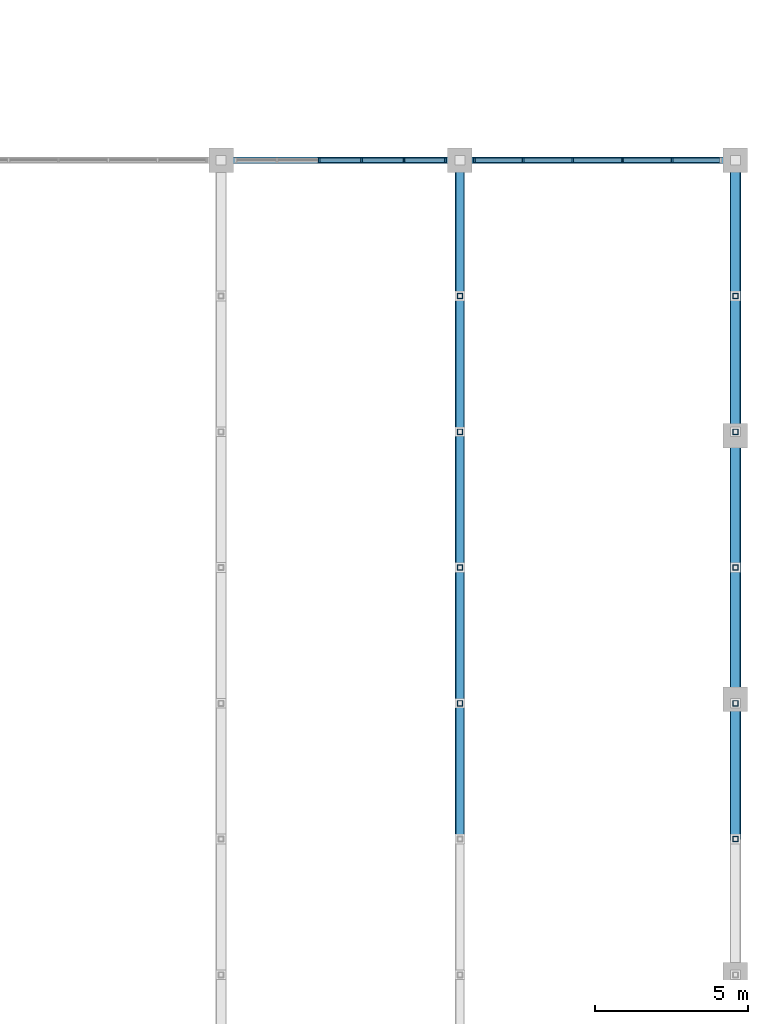
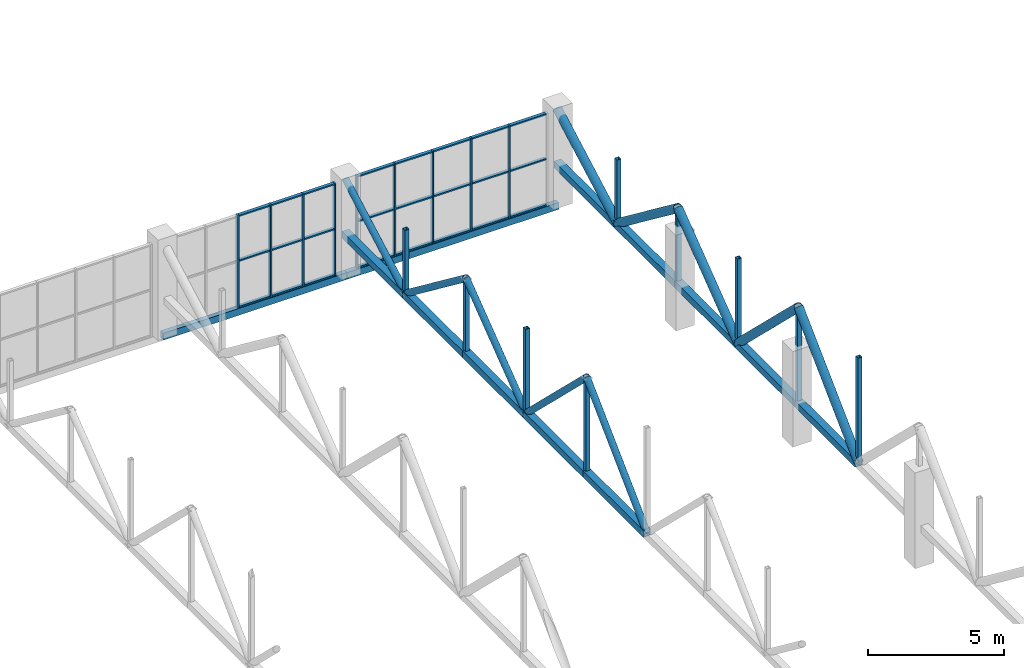
# One storey, part 63 of 103: 62 members, 2 beams, 2 elements without a shape of their own.
"""IFC4 building model written with IfcOpenShell, lengths in metres."""

from ifc_helpers import new_model, si_unit, direction, frame, origin, origin_2d, place, context, subcontext, project, spatial, rectangle, hollow_rectangle, hollow_circle, extrude, material, layer, layer_set, material_profile, profile_set, type_object, element, aggregate, save


model = new_model("IFC4")

# Units and contexts
model_context = context("Model", 3, precision=1e-05, world=origin(), true_north=direction((0.0, 1.0)))
body_context = subcontext(model_context, "Body", "Model", "MODEL_VIEW")
ifc_project = project(units=[si_unit("LENGTHUNIT", "METRE"), si_unit("AREAUNIT", "SQUARE_METRE"), si_unit("VOLUMEUNIT", "CUBIC_METRE"), si_unit("PLANEANGLEUNIT", "RADIAN"), si_unit("MASSUNIT", "GRAM", prefix="KILO")], contexts=[model_context])

# Site, building, storey
site_placement = place(None, origin())
site = spatial("IfcSite", under=ifc_project, at=site_placement, CompositionType="ELEMENT")
building_placement = place(site_placement, origin())
building = spatial("IfcBuilding", under=site, at=building_placement, Name="Cazmaro Siding Exhibition Halls", CompositionType="ELEMENT")
storey_placement = place(building_placement, frame((0.0, 0.0, 16.5)))
storey = spatial("IfcBuildingStorey", under=building, at=storey_placement, Name="L03", CompositionType="ELEMENT", Elevation=16.5)

# Curtain wall, members
ifc_material_1 = material(Name="Anodized Bronze Aluminum and Solar-Control Low-E Glazing", Category="aluminium")
ifc_layer = layer(ifc_material_1, 0.159912109375)
ifc_layer_set = layer_set([ifc_layer], Name="Anodized Bronze Aluminum and Solar-Control Low-E Glazing")
curtain_wall_type = type_object("IfcCurtainWallType", Name="CWS-04", PredefinedType="USERDEFINED", material=ifc_layer_set)
curtain_wall_1_placement = place(storey_placement, origin())
curtain_wall_1 = element("IfcCurtainWall", 1, at=curtain_wall_1_placement, inside=storey, type_object=curtain_wall_type, Name="Clerestory Curtain Wall CWS-04 CW-107", ObjectType="CLERESTORY CURTAIN WALL", PredefinedType="USERDEFINED")
ifc_material_2 = material(Name="Anodized Bronze Extruded Aluminum", Category="aluminium")
ifc_material_profile_1 = material_profile(ifc_material_2, rectangle(XDim=0.159912109375, YDim=0.06005859375, at=origin_2d()), Name="CWM-04")
ifc_profile_set_1 = profile_set([ifc_material_profile_1], Name="Anodized Bronze Extruded Aluminum")
member_type_1 = type_object("IfcMemberType", Name="CWM-04", PredefinedType="MULLION", material=ifc_profile_set_1)
member_1_placement = place(storey_placement, frame((196.324951171875, 53.60009765625, 0.0), z_axis=(0.0, 0.0, 1.0), x_axis=(0.0, -1.0, 0.0)))
member_1 = element("IfcMember", 2, at=member_1_placement, type_object=member_type_1, Name="CWS-04 mullion 1", PredefinedType="MULLION", context=body_context, shape_type="SweptSolid", body=[
    extrude(rectangle(XDim=0.159912109375, YDim=0.06005859375, at=origin_2d()), origin(), (0.0, 0.0, 1.0), 4.14990234375),
])
member_2_placement = place(storey_placement, frame((194.972900390625, 53.60009765625, 0.0), z_axis=(0.0, 0.0, 1.0), x_axis=(0.0, -1.0, 0.0)))
member_2 = element("IfcMember", 3, at=member_2_placement, type_object=member_type_1, Name="CWS-04 mullion 2", PredefinedType="MULLION", context=body_context, shape_type="SweptSolid", body=[
    extrude(rectangle(XDim=0.159912109375, YDim=0.06005859375, at=origin_2d()), origin(), (0.0, 0.0, 1.0), 4.14990234375),
])
member_3_placement = place(storey_placement, frame((193.591064453125, 53.60009765625, 0.0), z_axis=(0.0, 0.0, 1.0), x_axis=(0.0, -1.0, 0.0)))
member_3 = element("IfcMember", 4, at=member_3_placement, type_object=member_type_1, Name="CWS-04 mullion 3", PredefinedType="MULLION", context=body_context, shape_type="SweptSolid", body=[
    extrude(rectangle(XDim=0.159912109375, YDim=0.06005859375, at=origin_2d()), origin(), (0.0, 0.0, 1.0), 4.14990234375),
])
member_4_placement = place(storey_placement, frame((192.208984375, 53.60009765625, 0.0), z_axis=(0.0, 0.0, 1.0), x_axis=(0.0, -1.0, 0.0)))
member_4 = element("IfcMember", 5, at=member_4_placement, type_object=member_type_1, Name="CWS-04 mullion 4", PredefinedType="MULLION", context=body_context, shape_type="SweptSolid", body=[
    extrude(rectangle(XDim=0.159912109375, YDim=0.06005859375, at=origin_2d()), origin(), (0.0, 0.0, 1.0), 4.14990234375),
])

curtain_wall_2_placement = place(storey_placement, origin())
curtain_wall_2 = element("IfcCurtainWall", 6, at=curtain_wall_2_placement, inside=storey, type_object=curtain_wall_type, Name="Clerestory Curtain Wall CWS-04 CW-109", ObjectType="CLERESTORY CURTAIN WALL", PredefinedType="USERDEFINED")
member_5_placement = place(storey_placement, frame((203.73291015625, 53.60009765625, 0.0), z_axis=(0.0, 0.0, 1.0), x_axis=(0.0, -1.0, 0.0)))
member_5 = element("IfcMember", 7, at=member_5_placement, type_object=member_type_1, Name="CWS-04 mullion 2", PredefinedType="MULLION", context=body_context, shape_type="SweptSolid", body=[
    extrude(rectangle(XDim=0.159912109375, YDim=0.06005859375, at=origin_2d()), origin(), (0.0, 0.0, 1.0), 4.14990234375),
])
member_6_placement = place(storey_placement, frame((202.111083984375, 53.60009765625, 0.0), z_axis=(0.0, 0.0, 1.0), x_axis=(0.0, -1.0, 0.0)))
member_6 = element("IfcMember", 8, at=member_6_placement, type_object=member_type_1, Name="CWS-04 mullion 3", PredefinedType="MULLION", context=body_context, shape_type="SweptSolid", body=[
    extrude(rectangle(XDim=0.159912109375, YDim=0.06005859375, at=origin_2d()), origin(), (0.0, 0.0, 1.0), 4.14990234375),
])
member_7_placement = place(storey_placement, frame((200.489013671875, 53.60009765625, 0.0), z_axis=(0.0, 0.0, 1.0), x_axis=(0.0, -1.0, 0.0)))
member_7 = element("IfcMember", 9, at=member_7_placement, type_object=member_type_1, Name="CWS-04 mullion 4", PredefinedType="MULLION", context=body_context, shape_type="SweptSolid", body=[
    extrude(rectangle(XDim=0.159912109375, YDim=0.06005859375, at=origin_2d()), origin(), (0.0, 0.0, 1.0), 4.14990234375),
])
member_8_placement = place(storey_placement, frame((198.866943359375, 53.60009765625, 0.0), z_axis=(0.0, 0.0, 1.0), x_axis=(0.0, -1.0, 0.0)))
member_8 = element("IfcMember", 10, at=member_8_placement, type_object=member_type_1, Name="CWS-04 mullion 5", PredefinedType="MULLION", context=body_context, shape_type="SweptSolid", body=[
    extrude(rectangle(XDim=0.159912109375, YDim=0.06005859375, at=origin_2d()), origin(), (0.0, 0.0, 1.0), 4.14990234375),
])
member_9_placement = place(storey_placement, frame((197.27490234375, 53.60009765625, 0.0), z_axis=(0.0, 0.0, 1.0), x_axis=(0.0, -1.0, 0.0)))
member_9 = element("IfcMember", 11, at=member_9_placement, type_object=member_type_1, Name="CWS-04 mullion 6", PredefinedType="MULLION", context=body_context, shape_type="SweptSolid", body=[
    extrude(rectangle(XDim=0.159912109375, YDim=0.06005859375, at=origin_2d()), origin(), (0.0, 0.0, 1.0), 4.14990234375),
])

# Member
ifc_material_3 = material(Name="Anodized Bronze Extruded Aluminum", Category="aluminium")
ifc_material_profile_2 = material_profile(ifc_material_3, rectangle(XDim=0.139892578125, YDim=0.06005859375, at=origin_2d()), Name="CWT-04")
ifc_profile_set_2 = profile_set([ifc_material_profile_2], Name="Anodized Bronze Extruded Aluminum")
member_type_2 = type_object("IfcMemberType", Name="CWT-04", PredefinedType="MULLION", material=ifc_profile_set_2)
member_10_placement = place(storey_placement, frame((196.294921875, 53.60009765625, 0.030029296875), z_axis=(-1.0, 0.0, 0.0), x_axis=(0.0, -1.0, 0.0)))
member_10 = element("IfcMember", 12, at=member_10_placement, type_object=member_type_2, Name="CWS-04 transom 1.1", ObjectType="TRANSOM", PredefinedType="USERDEFINED", context=body_context, shape_type="SweptSolid", body=[
    extrude(rectangle(XDim=0.139892578125, YDim=0.06005859375, at=origin_2d()), origin(), (0.0, 0.0, 1.0), 1.2919921875),
])

member_11_placement = place(storey_placement, frame((196.294921875, 53.60009765625, 2.10009765625), z_axis=(-1.0, 0.0, 0.0), x_axis=(0.0, -1.0, 0.0)))
member_11 = element("IfcMember", 13, at=member_11_placement, type_object=member_type_2, Name="CWS-04 transom 1.2", ObjectType="TRANSOM", PredefinedType="USERDEFINED", context=body_context, shape_type="SweptSolid", body=[
    extrude(rectangle(XDim=0.139892578125, YDim=0.06005859375, at=origin_2d()), origin(), (0.0, 0.0, 1.0), 1.2919921875),
])

member_12_placement = place(storey_placement, frame((196.294921875, 53.60009765625, 4.1201171875), z_axis=(-1.0, 0.0, 0.0), x_axis=(0.0, -1.0, 0.0)))
member_12 = element("IfcMember", 14, at=member_12_placement, type_object=member_type_2, Name="CWS-04 transom 1.3", ObjectType="TRANSOM", PredefinedType="USERDEFINED", context=body_context, shape_type="SweptSolid", body=[
    extrude(rectangle(XDim=0.139892578125, YDim=0.06005859375, at=origin_2d()), origin(), (0.0, 0.0, 1.0), 1.2919921875),
])

member_13_placement = place(storey_placement, frame((194.943115234375, 53.60009765625, 0.030029296875), z_axis=(-1.0, 0.0, 0.0), x_axis=(0.0, -1.0, 0.0)))
member_13 = element("IfcMember", 15, at=member_13_placement, type_object=member_type_2, Name="CWS-04 transom 2.1", ObjectType="TRANSOM", PredefinedType="USERDEFINED", context=body_context, shape_type="SweptSolid", body=[
    extrude(rectangle(XDim=0.139892578125, YDim=0.06005859375, at=origin_2d()), origin(), (0.0, 0.0, 1.0), 1.322021484375),
])

member_14_placement = place(storey_placement, frame((194.943115234375, 53.60009765625, 2.10009765625), z_axis=(-1.0, 0.0, 0.0), x_axis=(0.0, -1.0, 0.0)))
member_14 = element("IfcMember", 16, at=member_14_placement, type_object=member_type_2, Name="CWS-04 transom 2.2", ObjectType="TRANSOM", PredefinedType="USERDEFINED", context=body_context, shape_type="SweptSolid", body=[
    extrude(rectangle(XDim=0.139892578125, YDim=0.06005859375, at=origin_2d()), origin(), (0.0, 0.0, 1.0), 1.322021484375),
])

member_15_placement = place(storey_placement, frame((194.943115234375, 53.60009765625, 4.1201171875), z_axis=(-1.0, 0.0, 0.0), x_axis=(0.0, -1.0, 0.0)))
member_15 = element("IfcMember", 17, at=member_15_placement, type_object=member_type_2, Name="CWS-04 transom 2.3", ObjectType="TRANSOM", PredefinedType="USERDEFINED", context=body_context, shape_type="SweptSolid", body=[
    extrude(rectangle(XDim=0.139892578125, YDim=0.06005859375, at=origin_2d()), origin(), (0.0, 0.0, 1.0), 1.322021484375),
])

member_16_placement = place(storey_placement, frame((193.56103515625, 53.60009765625, 0.030029296875), z_axis=(-1.0, 0.0, 0.0), x_axis=(0.0, -1.0, 0.0)))
member_16 = element("IfcMember", 18, at=member_16_placement, type_object=member_type_2, Name="CWS-04 transom 3.1", ObjectType="TRANSOM", PredefinedType="USERDEFINED", context=body_context, shape_type="SweptSolid", body=[
    extrude(rectangle(XDim=0.139892578125, YDim=0.06005859375, at=origin_2d()), origin(), (0.0, 0.0, 1.0), 1.322021484375),
])

member_17_placement = place(storey_placement, frame((193.56103515625, 53.60009765625, 2.10009765625), z_axis=(-1.0, 0.0, 0.0), x_axis=(0.0, -1.0, 0.0)))
member_17 = element("IfcMember", 19, at=member_17_placement, type_object=member_type_2, Name="CWS-04 transom 3.2", ObjectType="TRANSOM", PredefinedType="USERDEFINED", context=body_context, shape_type="SweptSolid", body=[
    extrude(rectangle(XDim=0.139892578125, YDim=0.06005859375, at=origin_2d()), origin(), (0.0, 0.0, 1.0), 1.322021484375),
])

member_18_placement = place(storey_placement, frame((193.56103515625, 53.60009765625, 4.1201171875), z_axis=(-1.0, 0.0, 0.0), x_axis=(0.0, -1.0, 0.0)))
member_18 = element("IfcMember", 20, at=member_18_placement, type_object=member_type_2, Name="CWS-04 transom 3.3", ObjectType="TRANSOM", PredefinedType="USERDEFINED", context=body_context, shape_type="SweptSolid", body=[
    extrude(rectangle(XDim=0.139892578125, YDim=0.06005859375, at=origin_2d()), origin(), (0.0, 0.0, 1.0), 1.322021484375),
])

aggregate(curtain_wall_1, [member_1, member_2, member_3, member_4, member_10, member_11, member_12, member_13, member_14, member_15, member_16, member_17, member_18])

member_19_placement = place(storey_placement, frame((205.294921875, 53.60009765625, 0.030029296875), z_axis=(-1.0, 0.0, 0.0), x_axis=(0.0, -1.0, 0.0)))
member_19 = element("IfcMember", 21, at=member_19_placement, type_object=member_type_2, Name="CWS-04 transom 1.1", ObjectType="TRANSOM", PredefinedType="USERDEFINED", context=body_context, shape_type="SweptSolid", body=[
    extrude(rectangle(XDim=0.139892578125, YDim=0.06005859375, at=origin_2d()), origin(), (0.0, 0.0, 1.0), 1.531982421875),
])

member_20_placement = place(storey_placement, frame((205.294921875, 53.60009765625, 2.10009765625), z_axis=(-1.0, 0.0, 0.0), x_axis=(0.0, -1.0, 0.0)))
member_20 = element("IfcMember", 22, at=member_20_placement, type_object=member_type_2, Name="CWS-04 transom 1.2", ObjectType="TRANSOM", PredefinedType="USERDEFINED", context=body_context, shape_type="SweptSolid", body=[
    extrude(rectangle(XDim=0.139892578125, YDim=0.06005859375, at=origin_2d()), origin(), (0.0, 0.0, 1.0), 1.531982421875),
])

member_21_placement = place(storey_placement, frame((205.294921875, 53.60009765625, 4.1201171875), z_axis=(-1.0, 0.0, 0.0), x_axis=(0.0, -1.0, 0.0)))
member_21 = element("IfcMember", 23, at=member_21_placement, type_object=member_type_2, Name="CWS-04 transom 1.3", ObjectType="TRANSOM", PredefinedType="USERDEFINED", context=body_context, shape_type="SweptSolid", body=[
    extrude(rectangle(XDim=0.139892578125, YDim=0.06005859375, at=origin_2d()), origin(), (0.0, 0.0, 1.0), 1.531982421875),
])

member_22_placement = place(storey_placement, frame((203.702880859375, 53.60009765625, 0.030029296875), z_axis=(-1.0, 0.0, 0.0), x_axis=(0.0, -1.0, 0.0)))
member_22 = element("IfcMember", 24, at=member_22_placement, type_object=member_type_2, Name="CWS-04 transom 2.1", ObjectType="TRANSOM", PredefinedType="USERDEFINED", context=body_context, shape_type="SweptSolid", body=[
    extrude(rectangle(XDim=0.139892578125, YDim=0.06005859375, at=origin_2d()), origin(), (0.0, 0.0, 1.0), 1.561767578125),
])

member_23_placement = place(storey_placement, frame((203.702880859375, 53.60009765625, 2.10009765625), z_axis=(-1.0, 0.0, 0.0), x_axis=(0.0, -1.0, 0.0)))
member_23 = element("IfcMember", 25, at=member_23_placement, type_object=member_type_2, Name="CWS-04 transom 2.2", ObjectType="TRANSOM", PredefinedType="USERDEFINED", context=body_context, shape_type="SweptSolid", body=[
    extrude(rectangle(XDim=0.139892578125, YDim=0.06005859375, at=origin_2d()), origin(), (0.0, 0.0, 1.0), 1.561767578125),
])

member_24_placement = place(storey_placement, frame((203.702880859375, 53.60009765625, 4.1201171875), z_axis=(-1.0, 0.0, 0.0), x_axis=(0.0, -1.0, 0.0)))
member_24 = element("IfcMember", 26, at=member_24_placement, type_object=member_type_2, Name="CWS-04 transom 2.3", ObjectType="TRANSOM", PredefinedType="USERDEFINED", context=body_context, shape_type="SweptSolid", body=[
    extrude(rectangle(XDim=0.139892578125, YDim=0.06005859375, at=origin_2d()), origin(), (0.0, 0.0, 1.0), 1.561767578125),
])

member_25_placement = place(storey_placement, frame((202.0810546875, 53.60009765625, 0.030029296875), z_axis=(-1.0, 0.0, 0.0), x_axis=(0.0, -1.0, 0.0)))
member_25 = element("IfcMember", 27, at=member_25_placement, type_object=member_type_2, Name="CWS-04 transom 3.1", ObjectType="TRANSOM", PredefinedType="USERDEFINED", context=body_context, shape_type="SweptSolid", body=[
    extrude(rectangle(XDim=0.139892578125, YDim=0.06005859375, at=origin_2d()), origin(), (0.0, 0.0, 1.0), 1.56201171875),
])

member_26_placement = place(storey_placement, frame((202.0810546875, 53.60009765625, 2.10009765625), z_axis=(-1.0, 0.0, 0.0), x_axis=(0.0, -1.0, 0.0)))
member_26 = element("IfcMember", 28, at=member_26_placement, type_object=member_type_2, Name="CWS-04 transom 3.2", ObjectType="TRANSOM", PredefinedType="USERDEFINED", context=body_context, shape_type="SweptSolid", body=[
    extrude(rectangle(XDim=0.139892578125, YDim=0.06005859375, at=origin_2d()), origin(), (0.0, 0.0, 1.0), 1.56201171875),
])

member_27_placement = place(storey_placement, frame((202.0810546875, 53.60009765625, 4.1201171875), z_axis=(-1.0, 0.0, 0.0), x_axis=(0.0, -1.0, 0.0)))
member_27 = element("IfcMember", 29, at=member_27_placement, type_object=member_type_2, Name="CWS-04 transom 3.3", ObjectType="TRANSOM", PredefinedType="USERDEFINED", context=body_context, shape_type="SweptSolid", body=[
    extrude(rectangle(XDim=0.139892578125, YDim=0.06005859375, at=origin_2d()), origin(), (0.0, 0.0, 1.0), 1.56201171875),
])

member_28_placement = place(storey_placement, frame((200.458984375, 53.60009765625, 0.030029296875), z_axis=(-1.0, 0.0, 0.0), x_axis=(0.0, -1.0, 0.0)))
member_28 = element("IfcMember", 30, at=member_28_placement, type_object=member_type_2, Name="CWS-04 transom 4.1", ObjectType="TRANSOM", PredefinedType="USERDEFINED", context=body_context, shape_type="SweptSolid", body=[
    extrude(rectangle(XDim=0.139892578125, YDim=0.06005859375, at=origin_2d()), origin(), (0.0, 0.0, 1.0), 1.56201171875),
])

member_29_placement = place(storey_placement, frame((200.458984375, 53.60009765625, 2.10009765625), z_axis=(-1.0, 0.0, 0.0), x_axis=(0.0, -1.0, 0.0)))
member_29 = element("IfcMember", 31, at=member_29_placement, type_object=member_type_2, Name="CWS-04 transom 4.2", ObjectType="TRANSOM", PredefinedType="USERDEFINED", context=body_context, shape_type="SweptSolid", body=[
    extrude(rectangle(XDim=0.139892578125, YDim=0.06005859375, at=origin_2d()), origin(), (0.0, 0.0, 1.0), 1.56201171875),
])

member_30_placement = place(storey_placement, frame((200.458984375, 53.60009765625, 4.1201171875), z_axis=(-1.0, 0.0, 0.0), x_axis=(0.0, -1.0, 0.0)))
member_30 = element("IfcMember", 32, at=member_30_placement, type_object=member_type_2, Name="CWS-04 transom 4.3", ObjectType="TRANSOM", PredefinedType="USERDEFINED", context=body_context, shape_type="SweptSolid", body=[
    extrude(rectangle(XDim=0.139892578125, YDim=0.06005859375, at=origin_2d()), origin(), (0.0, 0.0, 1.0), 1.56201171875),
])

member_31_placement = place(storey_placement, frame((198.8369140625, 53.60009765625, 0.030029296875), z_axis=(-1.0, 0.0, 0.0), x_axis=(0.0, -1.0, 0.0)))
member_31 = element("IfcMember", 33, at=member_31_placement, type_object=member_type_2, Name="CWS-04 transom 5.1", ObjectType="TRANSOM", PredefinedType="USERDEFINED", context=body_context, shape_type="SweptSolid", body=[
    extrude(rectangle(XDim=0.139892578125, YDim=0.06005859375, at=origin_2d()), origin(), (0.0, 0.0, 1.0), 1.531982421875),
])

member_32_placement = place(storey_placement, frame((198.8369140625, 53.60009765625, 2.10009765625), z_axis=(-1.0, 0.0, 0.0), x_axis=(0.0, -1.0, 0.0)))
member_32 = element("IfcMember", 34, at=member_32_placement, type_object=member_type_2, Name="CWS-04 transom 5.2", ObjectType="TRANSOM", PredefinedType="USERDEFINED", context=body_context, shape_type="SweptSolid", body=[
    extrude(rectangle(XDim=0.139892578125, YDim=0.06005859375, at=origin_2d()), origin(), (0.0, 0.0, 1.0), 1.531982421875),
])

member_33_placement = place(storey_placement, frame((198.8369140625, 53.60009765625, 4.1201171875), z_axis=(-1.0, 0.0, 0.0), x_axis=(0.0, -1.0, 0.0)))
member_33 = element("IfcMember", 35, at=member_33_placement, type_object=member_type_2, Name="CWS-04 transom 5.3", ObjectType="TRANSOM", PredefinedType="USERDEFINED", context=body_context, shape_type="SweptSolid", body=[
    extrude(rectangle(XDim=0.139892578125, YDim=0.06005859375, at=origin_2d()), origin(), (0.0, 0.0, 1.0), 1.531982421875),
])

aggregate(curtain_wall_2, [member_5, member_6, member_7, member_8, member_9, member_19, member_20, member_21, member_22, member_23, member_24, member_25, member_26, member_27, member_28, member_29, member_30, member_31, member_32, member_33])

# Beams
ifc_material_4 = material(Name="Steel ASTM A500 Grade C", Category="steel")
ifc_material_profile_3 = material_profile(ifc_material_4, hollow_rectangle(XDim=0.202880859375, YDim=0.304931640625, WallThickness=0.011962890625, at=origin_2d()), Name="HSS12X8X1/2")
ifc_profile_set_3 = profile_set([ifc_material_profile_3], Name="Steel ASTM A500 Grade C")
beam_type = type_object("IfcBeamType", Name="SP-01", PredefinedType="SPANDREL", material=ifc_profile_set_3)
beam_1_placement = place(storey_placement, frame((189.0, 53.60009765625, -0.152099609375), z_axis=(1.0, 0.0, 0.0), x_axis=(0.0, 1.0, 0.0)))
element("IfcBeam", 36, at=beam_1_placement, inside=storey, type_object=beam_type, Name="Beam SP-01 BM-1537", PredefinedType="SPANDREL", context=body_context, shape_type="SweptSolid", body=[
    extrude(hollow_rectangle(XDim=0.202880859375, YDim=0.304931640625, WallThickness=0.011962890625, at=origin_2d()), origin(), (0.0, 0.0, 1.0), 7.800048828125),
])
beam_2_placement = place(storey_placement, frame((196.800048828125, 53.60009765625, -0.152099609375), z_axis=(1.0, 0.0, 0.0), x_axis=(0.0, 1.0, 0.0)))
element("IfcBeam", 37, at=beam_2_placement, inside=storey, type_object=beam_type, Name="Beam SP-01 BM-1541", PredefinedType="SPANDREL", context=body_context, shape_type="SweptSolid", body=[
    extrude(hollow_rectangle(XDim=0.202880859375, YDim=0.304931640625, WallThickness=0.011962890625, at=origin_2d()), origin(), (0.0, 0.0, 1.0), 9.0),
])

# Members
ifc_material_5 = material(Name="Steel ASTM A500 Grade C", Category="steel")
ifc_material_profile_4 = material_profile(ifc_material_5, hollow_rectangle(XDim=0.304931640625, YDim=0.304931640625, WallThickness=0.014892578125, at=origin_2d()), Name="HSS12X12X5/8")
ifc_profile_set_4 = profile_set([ifc_material_profile_4], Name="Steel ASTM A500 Grade C")
member_type_3 = type_object("IfcMemberType", Name="TC-02", PredefinedType="CHORD", material=ifc_profile_set_4)
member_34_placement = place(storey_placement, frame((196.800048828125, 31.425048828125, 1.699951171875), z_axis=(0.0, 1.0, 0.0), x_axis=(-1.0, 0.0, 0.0)))
element("IfcMember", 38, at=member_34_placement, inside=storey, type_object=member_type_3, Name="Warren roof truss bottom chord TC-02 MEM-2864", PredefinedType="CHORD", context=body_context, shape_type="SweptSolid", body=[
    extrude(hollow_rectangle(XDim=0.304931640625, YDim=0.304931640625, WallThickness=0.014892578125, at=origin_2d()), origin(), (0.0, 0.0, 1.0), 4.43505859375),
])
member_35_placement = place(storey_placement, frame((196.800048828125, 35.860107421875, 1.699951171875), z_axis=(0.0, 1.0, 0.0), x_axis=(-1.0, 0.0, 0.0)))
element("IfcMember", 39, at=member_35_placement, inside=storey, type_object=member_type_3, Name="Warren roof truss bottom chord TC-02 MEM-2867", PredefinedType="CHORD", context=body_context, shape_type="SweptSolid", body=[
    extrude(hollow_rectangle(XDim=0.304931640625, YDim=0.304931640625, WallThickness=0.014892578125, at=origin_2d()), origin(), (0.0, 0.0, 1.0), 4.434814453125),
])
for number, where, z_axis, x_axis, name in (
    (40, (196.800048828125, 40.294921875, 1.699951171875), (0.0, 1.0, 0.0), (-1.0, 0.0, 0.0), "Warren roof truss bottom chord TC-02 MEM-2870"),
    (41, (196.800048828125, 44.72998046875, 1.699951171875), (0.0, 1.0, 0.0), (-1.0, 0.0, 0.0), "Warren roof truss bottom chord TC-02 MEM-2873"),
    (42, (196.800048828125, 49.1650390625, 1.699951171875), (0.0, 1.0, 0.0), (-1.0, 0.0, 0.0), "Warren roof truss bottom chord TC-02 MEM-2876"),
    (43, (205.800048828125, 31.425048828125, 1.699951171875), (0.0, 1.0, 0.0), (-1.0, 0.0, 0.0), "Warren roof truss bottom chord TC-02 MEM-2903"),
):
    element("IfcMember", number, at=place(storey_placement, frame(where, z_axis=z_axis, x_axis=x_axis)), inside=storey, type_object=member_type_3, Name=name, PredefinedType="CHORD", context=body_context, shape_type="SweptSolid", body=[
        extrude(hollow_rectangle(XDim=0.304931640625, YDim=0.304931640625, WallThickness=0.014892578125, at=origin_2d()), origin(), (0.0, 0.0, 1.0), 4.43505859375),
    ])
member_36_placement = place(storey_placement, frame((205.800048828125, 35.860107421875, 1.699951171875), z_axis=(0.0, 1.0, 0.0), x_axis=(-1.0, 0.0, 0.0)))
element("IfcMember", 44, at=member_36_placement, inside=storey, type_object=member_type_3, Name="Warren roof truss bottom chord TC-02 MEM-2906", PredefinedType="CHORD", context=body_context, shape_type="SweptSolid", body=[
    extrude(hollow_rectangle(XDim=0.304931640625, YDim=0.304931640625, WallThickness=0.014892578125, at=origin_2d()), origin(), (0.0, 0.0, 1.0), 4.434814453125),
])
for number, where, z_axis, x_axis, name in (
    (45, (205.800048828125, 40.294921875, 1.699951171875), (0.0, 1.0, 0.0), (-1.0, 0.0, 0.0), "Warren roof truss bottom chord TC-02 MEM-2909"),
    (46, (205.800048828125, 44.72998046875, 1.699951171875), (0.0, 1.0, 0.0), (-1.0, 0.0, 0.0), "Warren roof truss bottom chord TC-02 MEM-2912"),
    (47, (205.800048828125, 49.1650390625, 1.699951171875), (0.0, 1.0, 0.0), (-1.0, 0.0, 0.0), "Warren roof truss bottom chord TC-02 MEM-2915"),
):
    element("IfcMember", number, at=place(storey_placement, frame(where, z_axis=z_axis, x_axis=x_axis)), inside=storey, type_object=member_type_3, Name=name, PredefinedType="CHORD", context=body_context, shape_type="SweptSolid", body=[
        extrude(hollow_rectangle(XDim=0.304931640625, YDim=0.304931640625, WallThickness=0.014892578125, at=origin_2d()), origin(), (0.0, 0.0, 1.0), 4.43505859375),
    ])
ifc_material_6 = material(Name="Steel ASTM A500 Grade C", Category="steel")
ifc_material_profile_5 = material_profile(ifc_material_6, hollow_rectangle(XDim=0.177978515625, YDim=0.177978515625, WallThickness=0.011962890625, at=origin_2d()), Name="HSS7X7X1/2")
ifc_profile_set_5 = profile_set([ifc_material_profile_5], Name="Steel ASTM A500 Grade C")
member_type_4 = type_object("IfcMemberType", Name="TP-02", PredefinedType="POST", material=ifc_profile_set_5)
member_37_placement = place(storey_placement, frame((196.800048828125, 35.860107421875, 1.699951171875), z_axis=(0.0, 0.0, 1.0), x_axis=(1.0, 0.0, 0.0)))
element("IfcMember", 48, at=member_37_placement, inside=storey, type_object=member_type_4, Name="Warren roof truss vertical TP-02 MEM-2883", PredefinedType="POST", context=body_context, shape_type="SweptSolid", body=[
    extrude(hollow_rectangle(XDim=0.177978515625, YDim=0.177978515625, WallThickness=0.011962890625, at=origin_2d()), origin(), (0.0, 0.0, 1.0), 4.304931640625),
])
member_38_placement = place(storey_placement, frame((196.800048828125, 40.294921875, 1.699951171875), z_axis=(0.0, 0.0, 1.0), x_axis=(1.0, 0.0, 0.0)))
element("IfcMember", 49, at=member_38_placement, inside=storey, type_object=member_type_4, Name="Warren roof truss vertical TP-02 MEM-2884", PredefinedType="POST", context=body_context, shape_type="SweptSolid", body=[
    extrude(hollow_rectangle(XDim=0.177978515625, YDim=0.177978515625, WallThickness=0.011962890625, at=origin_2d()), origin(), (0.0, 0.0, 1.0), 3.839111328125),
])
member_39_placement = place(storey_placement, frame((196.800048828125, 44.72998046875, 1.699951171875), z_axis=(0.0, 0.0, 1.0), x_axis=(1.0, 0.0, 0.0)))
element("IfcMember", 50, at=member_39_placement, inside=storey, type_object=member_type_4, Name="Warren roof truss vertical TP-02 MEM-2885", PredefinedType="POST", context=body_context, shape_type="SweptSolid", body=[
    extrude(hollow_rectangle(XDim=0.177978515625, YDim=0.177978515625, WallThickness=0.011962890625, at=origin_2d()), origin(), (0.0, 0.0, 1.0), 3.373046875),
])
member_40_placement = place(storey_placement, frame((196.800048828125, 49.1650390625, 1.699951171875), z_axis=(0.0, 0.0, 1.0), x_axis=(1.0, 0.0, 0.0)))
element("IfcMember", 51, at=member_40_placement, inside=storey, type_object=member_type_4, Name="Warren roof truss vertical TP-02 MEM-2886", PredefinedType="POST", context=body_context, shape_type="SweptSolid", body=[
    extrude(hollow_rectangle(XDim=0.177978515625, YDim=0.177978515625, WallThickness=0.011962890625, at=origin_2d()), origin(), (0.0, 0.0, 1.0), 2.906005859375),
])
member_41_placement = place(storey_placement, frame((205.800048828125, 31.425048828125, 1.699951171875), z_axis=(0.0, 0.0, 1.0), x_axis=(1.0, 0.0, 0.0)))
element("IfcMember", 52, at=member_41_placement, inside=storey, type_object=member_type_4, Name="Warren roof truss vertical TP-02 MEM-2921", PredefinedType="POST", context=body_context, shape_type="SweptSolid", body=[
    extrude(hollow_rectangle(XDim=0.177978515625, YDim=0.177978515625, WallThickness=0.011962890625, at=origin_2d()), origin(), (0.0, 0.0, 1.0), 4.77099609375),
])
member_42_placement = place(storey_placement, frame((205.800048828125, 35.860107421875, 1.699951171875), z_axis=(0.0, 0.0, 1.0), x_axis=(1.0, 0.0, 0.0)))
element("IfcMember", 53, at=member_42_placement, inside=storey, type_object=member_type_4, Name="Warren roof truss vertical TP-02 MEM-2922", PredefinedType="POST", context=body_context, shape_type="SweptSolid", body=[
    extrude(hollow_rectangle(XDim=0.177978515625, YDim=0.177978515625, WallThickness=0.011962890625, at=origin_2d()), origin(), (0.0, 0.0, 1.0), 4.304931640625),
])
member_43_placement = place(storey_placement, frame((205.800048828125, 40.294921875, 1.699951171875), z_axis=(0.0, 0.0, 1.0), x_axis=(1.0, 0.0, 0.0)))
element("IfcMember", 54, at=member_43_placement, inside=storey, type_object=member_type_4, Name="Warren roof truss vertical TP-02 MEM-2923", PredefinedType="POST", context=body_context, shape_type="SweptSolid", body=[
    extrude(hollow_rectangle(XDim=0.177978515625, YDim=0.177978515625, WallThickness=0.011962890625, at=origin_2d()), origin(), (0.0, 0.0, 1.0), 3.839111328125),
])
member_44_placement = place(storey_placement, frame((205.800048828125, 44.72998046875, 1.699951171875), z_axis=(0.0, 0.0, 1.0), x_axis=(1.0, 0.0, 0.0)))
element("IfcMember", 55, at=member_44_placement, inside=storey, type_object=member_type_4, Name="Warren roof truss vertical TP-02 MEM-2924", PredefinedType="POST", context=body_context, shape_type="SweptSolid", body=[
    extrude(hollow_rectangle(XDim=0.177978515625, YDim=0.177978515625, WallThickness=0.011962890625, at=origin_2d()), origin(), (0.0, 0.0, 1.0), 3.373046875),
])
member_45_placement = place(storey_placement, frame((205.800048828125, 49.1650390625, 1.699951171875), z_axis=(0.0, 0.0, 1.0), x_axis=(1.0, 0.0, 0.0)))
element("IfcMember", 56, at=member_45_placement, inside=storey, type_object=member_type_4, Name="Warren roof truss vertical TP-02 MEM-2925", PredefinedType="POST", context=body_context, shape_type="SweptSolid", body=[
    extrude(hollow_rectangle(XDim=0.177978515625, YDim=0.177978515625, WallThickness=0.011962890625, at=origin_2d()), origin(), (0.0, 0.0, 1.0), 2.906005859375),
])
ifc_material_7 = material(Name="Steel ASTM A500 Grade C", Category="steel")
ifc_material_profile_6 = material_profile(ifc_material_7, hollow_circle(Radius=0.136474609375, WallThickness=0.012939453125, at=origin_2d()), Name="PIPE10XS")
ifc_profile_set_6 = profile_set([ifc_material_profile_6], Name="Steel ASTM A500 Grade C")
member_type_5 = type_object("IfcMemberType", Name="WB-02", PredefinedType="BRACE", material=ifc_profile_set_6)
member_46_placement = place(storey_placement, frame((196.800048828125, 31.425048828125, 1.699951171875), z_axis=(0.0, 0.717555143773, 0.696501698236), x_axis=(-1.0, 0.0, 0.0)))
element("IfcMember", 57, at=member_46_placement, inside=storey, type_object=member_type_5, Name="Warren roof truss diagonal WB-02 MEM-2865", PredefinedType="BRACE", context=body_context, shape_type="SweptSolid", body=[
    extrude(hollow_circle(Radius=0.136474609375, WallThickness=0.012939453125, at=origin_2d()), origin(), (0.0, 0.0, 1.0), 6.180908203125),
])
member_47_placement = place(storey_placement, frame((196.800048828125, 35.860107421875, 6.0048828125), z_axis=(0.0, 0.71753598098, -0.696521439726), x_axis=(-1.0, 0.0, 0.0)))
element("IfcMember", 58, at=member_47_placement, inside=storey, type_object=member_type_5, Name="Warren roof truss diagonal WB-02 MEM-2868", PredefinedType="BRACE", context=body_context, shape_type="SweptSolid", body=[
    extrude(hollow_circle(Radius=0.136474609375, WallThickness=0.012939453125, at=origin_2d()), origin(), (0.0, 0.0, 1.0), 6.1806640625),
])
for number, where, z_axis, x_axis, name in (
    (59, (196.800048828125, 40.294921875, 1.699951171875), (0.0, 0.795954445209, 0.605356524002), (-1.0, 0.0, 0.0), "Warren roof truss diagonal WB-02 MEM-2871"),
    (60, (196.800048828125, 44.72998046875, 5.072998046875), (0.0, 0.795954445209, -0.605356524002), (-1.0, 0.0, 0.0), "Warren roof truss diagonal WB-02 MEM-2874"),
):
    element("IfcMember", number, at=place(storey_placement, frame(where, z_axis=z_axis, x_axis=x_axis)), inside=storey, type_object=member_type_5, Name=name, PredefinedType="BRACE", context=body_context, shape_type="SweptSolid", body=[
        extrude(hollow_circle(Radius=0.136474609375, WallThickness=0.012939453125, at=origin_2d()), origin(), (0.0, 0.0, 1.0), 5.572021484375),
    ])
member_48_placement = place(storey_placement, frame((196.800048828125, 49.1650390625, 1.699951171875), z_axis=(0.0, 0.876160914294, 0.482018726051), x_axis=(-1.0, 0.0, 0.0)))
element("IfcMember", 61, at=member_48_placement, inside=storey, type_object=member_type_5, Name="Warren roof truss diagonal WB-02 MEM-2877", PredefinedType="BRACE", context=body_context, shape_type="SweptSolid", body=[
    extrude(hollow_circle(Radius=0.136474609375, WallThickness=0.012939453125, at=origin_2d()), origin(), (0.0, 0.0, 1.0), 5.06201171875),
])
ifc_material_8 = material(Name="Steel ASTM A500 Grade C", Category="steel")
ifc_material_profile_7 = material_profile(ifc_material_8, hollow_circle(Radius=0.177978515625, WallThickness=0.012939453125, at=origin_2d()), Name="PIPE14XS")
ifc_profile_set_7 = profile_set([ifc_material_profile_7], Name="Steel ASTM A500 Grade C")
member_type_6 = type_object("IfcMemberType", Name="WB-06", PredefinedType="BRACE", material=ifc_profile_set_7)
member_49_placement = place(storey_placement, frame((205.800048828125, 31.425048828125, 1.699951171875), z_axis=(0.0, 0.717555143773, 0.696501698236), x_axis=(-1.0, 0.0, 0.0)))
element("IfcMember", 62, at=member_49_placement, inside=storey, type_object=member_type_6, Name="Warren roof truss diagonal WB-06 MEM-2904", PredefinedType="BRACE", context=body_context, shape_type="SweptSolid", body=[
    extrude(hollow_circle(Radius=0.177978515625, WallThickness=0.012939453125, at=origin_2d()), origin(), (0.0, 0.0, 1.0), 6.180908203125),
])
member_50_placement = place(storey_placement, frame((205.800048828125, 35.860107421875, 6.0048828125), z_axis=(0.0, 0.71753598098, -0.696521439726), x_axis=(-1.0, 0.0, 0.0)))
element("IfcMember", 63, at=member_50_placement, inside=storey, type_object=member_type_6, Name="Warren roof truss diagonal WB-06 MEM-2907", PredefinedType="BRACE", context=body_context, shape_type="SweptSolid", body=[
    extrude(hollow_circle(Radius=0.177978515625, WallThickness=0.012939453125, at=origin_2d()), origin(), (0.0, 0.0, 1.0), 6.1806640625),
])
for number, where, z_axis, x_axis, name in (
    (64, (205.800048828125, 40.294921875, 1.699951171875), (0.0, 0.795954445209, 0.605356524002), (-1.0, 0.0, 0.0), "Warren roof truss diagonal WB-06 MEM-2910"),
    (65, (205.800048828125, 44.72998046875, 5.072998046875), (0.0, 0.795954445209, -0.605356524002), (-1.0, 0.0, 0.0), "Warren roof truss diagonal WB-06 MEM-2913"),
):
    element("IfcMember", number, at=place(storey_placement, frame(where, z_axis=z_axis, x_axis=x_axis)), inside=storey, type_object=member_type_6, Name=name, PredefinedType="BRACE", context=body_context, shape_type="SweptSolid", body=[
        extrude(hollow_circle(Radius=0.177978515625, WallThickness=0.012939453125, at=origin_2d()), origin(), (0.0, 0.0, 1.0), 5.572021484375),
    ])
member_51_placement = place(storey_placement, frame((205.800048828125, 49.1650390625, 1.699951171875), z_axis=(0.0, 0.876160914294, 0.482018726051), x_axis=(-1.0, 0.0, 0.0)))
element("IfcMember", 66, at=member_51_placement, inside=storey, type_object=member_type_6, Name="Warren roof truss diagonal WB-06 MEM-2916", PredefinedType="BRACE", context=body_context, shape_type="SweptSolid", body=[
    extrude(hollow_circle(Radius=0.177978515625, WallThickness=0.012939453125, at=origin_2d()), origin(), (0.0, 0.0, 1.0), 5.06201171875),
])

save(model, "model.ifc")
